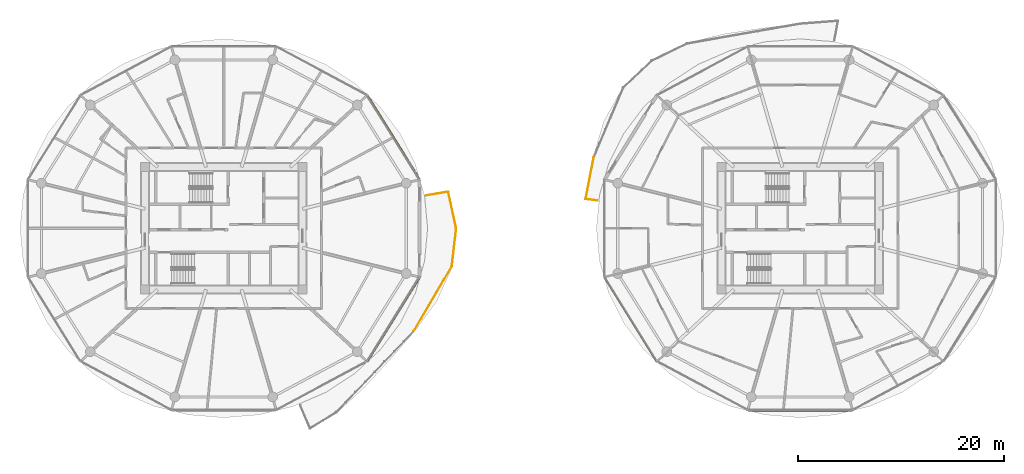
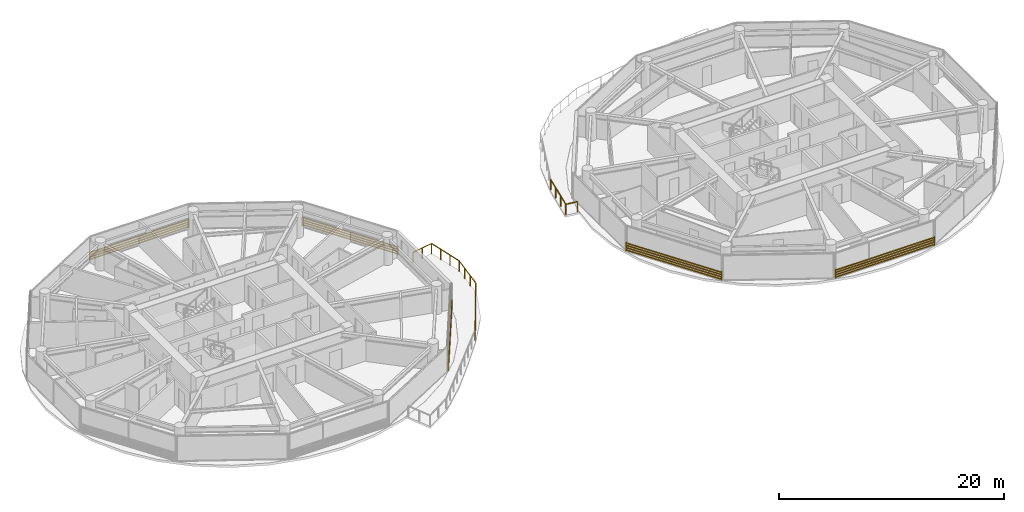
# One storey, part 25 of 27: 5 shading devices, 2 railings.
"""IFC4 building model written with IfcOpenShell, lengths in metres."""

from ifc_helpers import new_model, si_unit, direction, frame, origin, origin_2d, place, context, subcontext, project, spatial, rectangle, extrude, source, transform, mapped, material, type_object, type_shapes, element, save


model = new_model("IFC4")

# Units and contexts
model_context = context("Model", 3, precision=1e-05, world=origin(), true_north=direction((0.0, 1.0)))
body_context = subcontext(model_context, "Body", "Model", "MODEL_VIEW")
ifc_project = project(units=[si_unit("LENGTHUNIT", "METRE"), si_unit("AREAUNIT", "SQUARE_METRE"), si_unit("VOLUMEUNIT", "CUBIC_METRE"), si_unit("PLANEANGLEUNIT", "RADIAN"), si_unit("MASSUNIT", "GRAM", prefix="KILO")], contexts=[model_context])

# Site, building, storey
site_placement = place(None, origin())
site = spatial("IfcSite", under=ifc_project, at=site_placement, CompositionType="ELEMENT")
building_placement = place(site_placement, origin())
building = spatial("IfcBuilding", under=site, at=building_placement, Name="Norrkilde Senior Care Towers", CompositionType="ELEMENT")
storey_placement = place(building_placement, frame((0.0, 0.0, 61.25)))
storey = spatial("IfcBuildingStorey", under=building, at=storey_placement, Name="L18", CompositionType="ELEMENT", Elevation=61.25)

# Railings
ifc_material_1 = material(Name="Anodised Aluminium", Category="aluminium")
railing_type = type_object("IfcRailingType", Name="Balcony Swirl Ribbon Guardrail 1150", PredefinedType="GUARDRAIL", material=ifc_material_1)
railing_1_placement = place(storey_placement, frame((8.273681640625, 2.70263671875, 0.0)))
element("IfcRailing", 1, at=railing_1_placement, inside=storey, type_object=railing_type, Name="L18 Perimeter Safety Guard 02", PredefinedType="GUARDRAIL", context=body_context, shape_type="SweptSolid", body=[
    extrude(rectangle(XDim=0.048095703125, YDim=0.048095703125, at=origin_2d()), frame((0.0, 0.0, 1.1259765625), z_axis=(-0.991286363974, 0.131724502653, 0.0), x_axis=(-0.131724502653, -0.991286363974, 0.0)), (0.0, 0.0, 1.0), 1.087890625),
    extrude(rectangle(XDim=0.048095703125, YDim=0.048095703125, at=origin_2d()), frame((-1.111083984375, 0.188720703125, 1.1259765625), z_axis=(0.190958936366, 0.981598025987, 0.0), x_axis=(-0.981598025987, 0.190958936366, 0.0)), (0.0, 0.0, 1.0), 4.057861328125),
    extrude(rectangle(XDim=0.0419921875, YDim=0.0419921875, at=origin_2d()), origin(), (0.0, 0.0, 1.0), 1.099853515625),
    extrude(rectangle(XDim=0.0419921875, YDim=0.0419921875, at=origin_2d()), frame((-1.118896484375, 0.148681640625, 0.0)), (0.0, 0.0, 1.0), 1.099853515625),
    extrude(rectangle(XDim=0.0419921875, YDim=0.0419921875, at=origin_2d()), frame((-0.85791015625, 1.48974609375, 0.0)), (0.0, 0.0, 1.0), 1.099853515625),
    extrude(rectangle(XDim=0.0419921875, YDim=0.0419921875, at=origin_2d()), frame((-0.59716796875, 2.8310546875, 0.0)), (0.0, 0.0, 1.0), 1.099853515625),
    extrude(rectangle(XDim=0.0419921875, YDim=0.0419921875, at=origin_2d()), frame((-0.336181640625, 4.172119140625, 0.0)), (0.0, 0.0, 1.0), 1.099853515625),
])
railing_2_placement = place(storey_placement, frame((-8.320556640625, 3.20068359375, 0.0)))
element("IfcRailing", 2, at=railing_2_placement, inside=storey, type_object=railing_type, Name="L18 Perimeter Safety Guard 04", PredefinedType="GUARDRAIL", context=body_context, shape_type="SweptSolid", body=[
    extrude(rectangle(XDim=0.048095703125, YDim=0.048095703125, at=origin_2d()), frame((0.0, 0.0, 1.1259765625), z_axis=(0.986381700633, 0.164472309697, 0.0), x_axis=(-0.164472309697, 0.986381700633, 0.0)), (0.0, 0.0, 1.0), 2.118896484375),
    extrude(rectangle(XDim=0.048095703125, YDim=0.048095703125, at=origin_2d()), frame((2.138916015625, 0.315185546875, 1.1259765625), z_axis=(0.211739475572, -0.977326145401, 0.0), x_axis=(0.977326145401, 0.211739475572, 0.0)), (0.0, 0.0, 1.0), 3.560546875),
    extrude(rectangle(XDim=0.048095703125, YDim=0.048095703125, at=origin_2d()), frame((2.89697265625, -3.2451171875, 1.1259765625), z_axis=(-0.114876185957, -0.993379817542, 0.0), x_axis=(0.993379817542, -0.114876185957, 0.0)), (0.0, 0.0, 1.0), 3.631103515625),
    extrude(rectangle(XDim=0.048095703125, YDim=0.048095703125, at=origin_2d()), frame((2.454345703125, -6.927978515625, 1.1259765625), z_axis=(-0.50661450175, -0.862172689556, 0.0), x_axis=(0.862172689556, -0.50661450175, 0.0)), (0.0, 0.0, 1.0), 7.2724609375),
    extrude(rectangle(XDim=0.0419921875, YDim=0.0419921875, at=origin_2d()), origin(), (0.0, 0.0, 1.0), 1.099853515625),
    extrude(rectangle(XDim=0.0419921875, YDim=0.0419921875, at=origin_2d()), frame((1.065185546875, 0.177734375, 0.0)), (0.0, 0.0, 1.0), 1.099853515625),
    extrude(rectangle(XDim=0.0419921875, YDim=0.0419921875, at=origin_2d()), frame((2.13037109375, 0.355224609375, 0.0)), (0.0, 0.0, 1.0), 1.099853515625),
    extrude(rectangle(XDim=0.0419921875, YDim=0.0419921875, at=origin_2d()), frame((2.387451171875, -0.831298828125, 0.0)), (0.0, 0.0, 1.0), 1.099853515625),
    extrude(rectangle(XDim=0.0419921875, YDim=0.0419921875, at=origin_2d()), frame((2.64453125, -2.01806640625, 0.0)), (0.0, 0.0, 1.0), 1.099853515625),
    extrude(rectangle(XDim=0.0419921875, YDim=0.0419921875, at=origin_2d()), frame((2.901611328125, -3.20458984375, 0.0)), (0.0, 0.0, 1.0), 1.099853515625),
    extrude(rectangle(XDim=0.0419921875, YDim=0.0419921875, at=origin_2d()), frame((2.759521484375, -4.43408203125, 0.0)), (0.0, 0.0, 1.0), 1.099853515625),
    extrude(rectangle(XDim=0.0419921875, YDim=0.0419921875, at=origin_2d()), frame((2.6171875, -5.663330078125, 0.0)), (0.0, 0.0, 1.0), 1.099853515625),
    extrude(rectangle(XDim=0.0419921875, YDim=0.0419921875, at=origin_2d()), frame((2.47509765625, -6.892822265625, 0.0)), (0.0, 0.0, 1.0), 1.099853515625),
    extrude(rectangle(XDim=0.0419921875, YDim=0.0419921875, at=origin_2d()), frame((1.734130859375, -8.15380859375, 0.0)), (0.0, 0.0, 1.0), 1.099853515625),
    extrude(rectangle(XDim=0.0419921875, YDim=0.0419921875, at=origin_2d()), frame((0.9931640625, -9.4150390625, 0.0)), (0.0, 0.0, 1.0), 1.099853515625),
    extrude(rectangle(XDim=0.0419921875, YDim=0.0419921875, at=origin_2d()), frame((0.251953125, -10.676025390625, 0.0)), (0.0, 0.0, 1.0), 1.099853515625),
    extrude(rectangle(XDim=0.0419921875, YDim=0.0419921875, at=origin_2d()), frame((-0.489013671875, -11.937255859375, 0.0)), (0.0, 0.0, 1.0), 1.099853515625),
    extrude(rectangle(XDim=0.0419921875, YDim=0.0419921875, at=origin_2d()), frame((-1.22998046875, -13.1982421875, 0.0)), (0.0, 0.0, 1.0), 1.099853515625),
])

# Shading devices
ifc_material_2 = material(Name="Architectural Terracotta", Category="masonry")
shading_device_type = type_object("IfcShadingDeviceType", Name="Horizontal Terracotta Baguette Rack", PredefinedType="USERDEFINED", material=ifc_material_2)
shared_shape_1 = source(origin(), body_context, "Body", "SweptSolid", [
    extrude(rectangle(XDim=0.070068359375, YDim=0.110107421875, at=origin_2d()), frame((0.0, 0.090087890625, 0.125), z_axis=(1.0, 0.0, 0.0), x_axis=(0.0, 1.0, 0.0)), (0.0, 0.0, 1.0), 9.64892578125),
    extrude(rectangle(XDim=0.070068359375, YDim=0.110107421875, at=origin_2d()), frame((0.0, 0.090087890625, 0.375), z_axis=(1.0, 0.0, 0.0), x_axis=(0.0, 1.0, 0.0)), (0.0, 0.0, 1.0), 9.64892578125),
    extrude(rectangle(XDim=0.070068359375, YDim=0.110107421875, at=origin_2d()), frame((0.0, 0.090087890625, 0.625), z_axis=(1.0, 0.0, 0.0), x_axis=(0.0, 1.0, 0.0)), (0.0, 0.0, 1.0), 9.64892578125),
    extrude(rectangle(XDim=0.070068359375, YDim=0.110107421875, at=origin_2d()), frame((0.0, 0.090087890625, 0.875), z_axis=(1.0, 0.0, 0.0), x_axis=(0.0, 1.0, 0.0)), (0.0, 0.0, 1.0), 9.64892578125),
    extrude(rectangle(XDim=0.050048828125, YDim=0.1552734375, at=origin_2d()), frame((0.02490234375, 0.047607421875, 0.0)), (0.0, 0.0, 1.0), 1.0),
    extrude(rectangle(XDim=0.050048828125, YDim=0.1552734375, at=origin_2d()), frame((9.6240234375, 0.047607421875, 0.0)), (0.0, 0.0, 1.0), 1.0),
])
for number, where, z_axis, x_axis, name in (
    (3, (-14.084228515625, 12.926025390625, 0.080078125), (0.0, 0.0, 1.0), (0.527908506655, -0.849299124538, 0.0), "L18 Drum W Terracotta Baguette Screen 00"),
    (4, (-8.990478515625, -4.731201171875, 0.080078125), (0.0, 0.0, 1.0), (-0.527908506655, -0.849299124538, 0.0), "L18 Drum W Terracotta Baguette Screen 10"),
    (5, (14.084228515625, -12.926025390625, 0.080078125), (0.0, 0.0, 1.0), (-0.527908506655, 0.849299124538, 0.0), "L18 Drum E Terracotta Baguette Screen 06"),
):
    element("IfcShadingDevice", number, at=place(storey_placement, frame(where, z_axis=z_axis, x_axis=x_axis)), inside=storey, type_object=shading_device_type, Name=name, ObjectType="BAGUETTE", PredefinedType="USERDEFINED", context=body_context, shape_type="MappedRepresentation", body=[
        mapped(shared_shape_1, transform((0.0, 0.0, 0.0), x_axis=(1.0, 0.0, 0.0), y_axis=(0.0, 1.0, 0.0), z_axis=(0.0, 0.0, 1.0), scale=1.0)),
    ])
shared_shape_2 = source(origin(), body_context, "Body", "SweptSolid", [
    extrude(rectangle(XDim=0.070068359375, YDim=0.110107421875, at=origin_2d()), frame((0.0, 0.090087890625, 0.125), z_axis=(1.0, 0.0, 0.0), x_axis=(0.0, 1.0, 0.0)), (0.0, 0.0, 1.0), 10.18701171875),
    extrude(rectangle(XDim=0.070068359375, YDim=0.110107421875, at=origin_2d()), frame((0.0, 0.090087890625, 0.375), z_axis=(1.0, 0.0, 0.0), x_axis=(0.0, 1.0, 0.0)), (0.0, 0.0, 1.0), 10.18701171875),
    extrude(rectangle(XDim=0.070068359375, YDim=0.110107421875, at=origin_2d()), frame((0.0, 0.090087890625, 0.625), z_axis=(1.0, 0.0, 0.0), x_axis=(0.0, 1.0, 0.0)), (0.0, 0.0, 1.0), 10.18701171875),
    extrude(rectangle(XDim=0.070068359375, YDim=0.110107421875, at=origin_2d()), frame((0.0, 0.090087890625, 0.875), z_axis=(1.0, 0.0, 0.0), x_axis=(0.0, 1.0, 0.0)), (0.0, 0.0, 1.0), 10.18701171875),
    extrude(rectangle(XDim=0.050048828125, YDim=0.1552734375, at=origin_2d()), frame((0.02490234375, 0.047607421875, 0.0)), (0.0, 0.0, 1.0), 1.0),
    extrude(rectangle(XDim=0.050048828125, YDim=0.1552734375, at=origin_2d()), frame((10.162109375, 0.047607421875, 0.0)), (0.0, 0.0, 1.0), 1.0),
])
type_shapes(shading_device_type, [shared_shape_1, shared_shape_2])
for number, where, z_axis, x_axis, name in (
    (6, (-33.093505859375, 17.6572265625, 0.080078125), (0.0, 0.0, 1.0), (1.0, 0.0, 0.0), "L18 Drum W Terracotta Baguette Screen 02"),
    (7, (33.093505859375, -17.6572265625, 0.080078125), (0.0, 0.0, 1.0), (-1.0, 0.0, 0.0), "L18 Drum E Terracotta Baguette Screen 08"),
):
    element("IfcShadingDevice", number, at=place(storey_placement, frame(where, z_axis=z_axis, x_axis=x_axis)), inside=storey, type_object=shading_device_type, Name=name, ObjectType="BAGUETTE", PredefinedType="USERDEFINED", context=body_context, shape_type="MappedRepresentation", body=[
        mapped(shared_shape_2, transform((0.0, 0.0, 0.0), x_axis=(1.0, 0.0, 0.0), y_axis=(0.0, 1.0, 0.0), z_axis=(0.0, 0.0, 1.0), scale=1.0)),
    ])

save(model, "model.ifc")
